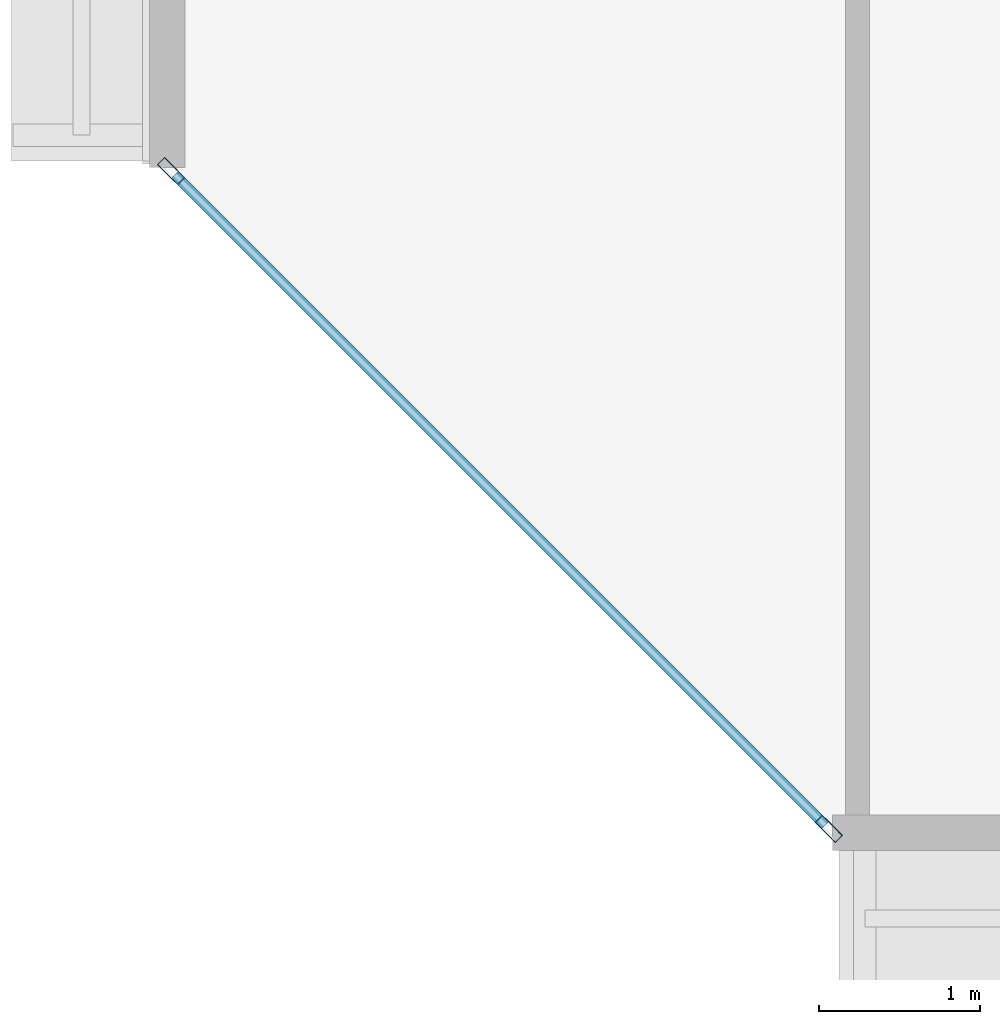
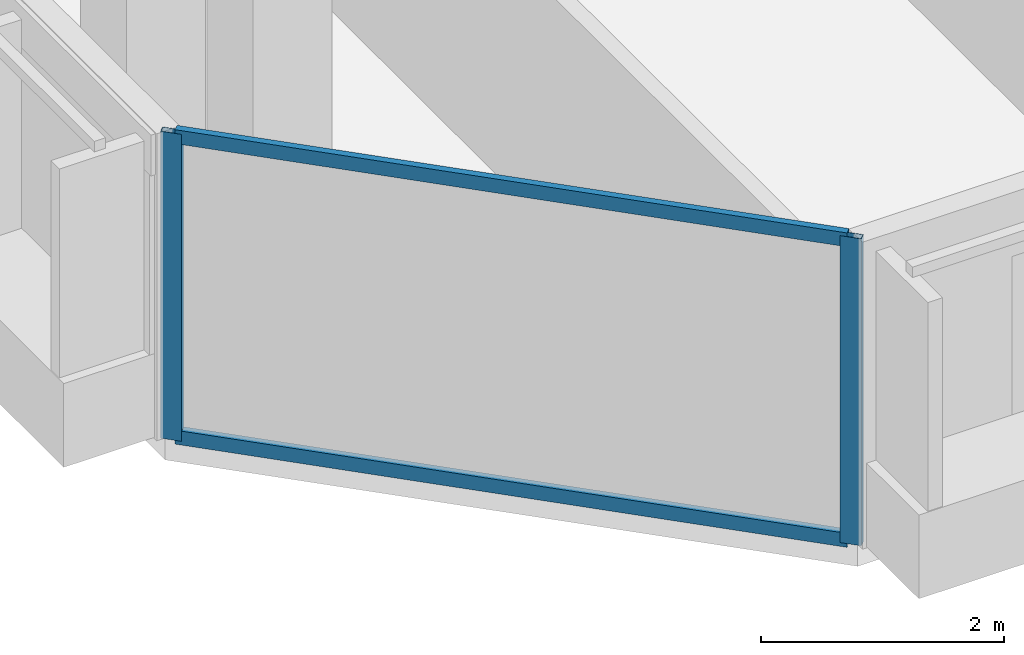
# One storey, part 2 of 25: 4 members, 1 element without a shape of its own.
"""IFC4 building model written with IfcOpenShell, lengths in metres."""

from ifc_helpers import new_model, si_unit, direction, frame, origin, origin_2d, place, context, subcontext, project, spatial, hollow_rectangle, extrude, material, layer, layer_set, material_profile, profile_set, type_object, element, aggregate, save


model = new_model("IFC4")

# Units and contexts
model_context = context("Model", 3, precision=1e-05, world=origin(), true_north=direction((0.0, 1.0)))
body_context = subcontext(model_context, "Body", "Model", "MODEL_VIEW")
ifc_project = project(units=[si_unit("LENGTHUNIT", "METRE"), si_unit("AREAUNIT", "SQUARE_METRE"), si_unit("VOLUMEUNIT", "CUBIC_METRE"), si_unit("PLANEANGLEUNIT", "RADIAN"), si_unit("MASSUNIT", "GRAM", prefix="KILO")], contexts=[model_context])

# Site, building, storey
site_placement = place(None, origin())
site = spatial("IfcSite", under=ifc_project, at=site_placement, CompositionType="ELEMENT")
building_placement = place(site_placement, origin())
building = spatial("IfcBuilding", under=site, at=building_placement, Name="Tanjung Sevakor Pilgrim Tower", CompositionType="ELEMENT")
storey_placement = place(building_placement, frame((0.0, 0.0, 204.929931640625)))
storey = spatial("IfcBuildingStorey", under=building, at=storey_placement, Name="L57", CompositionType="ELEMENT", Elevation=204.929931640625)

# Curtain wall, members
ifc_material_1 = material(Name="Aluminium 6063-T6 and Low-E Glass", Category="aluminium")
ifc_layer = layer(ifc_material_1, 0.179931640625)
ifc_layer_set = layer_set([ifc_layer], Name="CW-SYS-CHAM")
curtain_wall_type = type_object("IfcCurtainWallType", Name="CW-SYS-CHAM", PredefinedType="NOTDEFINED", material=ifc_layer_set)
curtain_wall_placement = place(storey_placement, origin())
curtain_wall = element("IfcCurtainWall", 1, at=curtain_wall_placement, inside=storey, type_object=curtain_wall_type, Name="L57 Curtain Wall CW-CHM-L57-MAIN-15", PredefinedType="NOTDEFINED")
ifc_material_2 = material(Name="Aluminium 6063-T6", Category="aluminium")
ifc_material_profile_1 = material_profile(ifc_material_2, hollow_rectangle(XDim=0.06494140625, YDim=0.179931640625, WallThickness=0.00390625, at=origin_2d()))
ifc_profile_set_1 = profile_set([ifc_material_profile_1], Name="Aluminium 6063-T6")
member_type_1 = type_object("IfcMemberType", Name="TYPE-CWM-1", PredefinedType="MULLION", material=ifc_profile_set_1)
member_1_placement = place(storey_placement, frame((21.73291015625, 16.272705078125, 0.0), z_axis=(0.0, 0.0, 1.0), x_axis=(0.707106781187, 0.707106781187, 0.0)))
member_1 = element("IfcMember", 2, at=member_1_placement, type_object=member_type_1, Name="CW-CHM mullion 1", PredefinedType="MULLION", context=body_context, shape_type="SweptSolid", body=[
    extrude(hollow_rectangle(XDim=0.06494140625, YDim=0.179931640625, WallThickness=0.00390625, at=origin_2d()), origin(), (0.0, 0.0, 1.0), 3.080078125),
])
member_2_placement = place(storey_placement, frame((25.822509765625, 12.182861328125, 0.0), z_axis=(0.0, 0.0, 1.0), x_axis=(0.707106781187, 0.707106781187, 0.0)))
member_2 = element("IfcMember", 3, at=member_2_placement, type_object=member_type_1, Name="CW-CHM mullion 2", PredefinedType="MULLION", context=body_context, shape_type="SweptSolid", body=[
    extrude(hollow_rectangle(XDim=0.06494140625, YDim=0.179931640625, WallThickness=0.00390625, at=origin_2d()), origin(), (0.0, 0.0, 1.0), 3.080078125),
])
ifc_material_3 = material(Name="Aluminium 6063-T6", Category="aluminium")
ifc_material_profile_2 = material_profile(ifc_material_3, hollow_rectangle(XDim=0.06494140625, YDim=0.139892578125, WallThickness=0.00390625, at=origin_2d()))
ifc_profile_set_2 = profile_set([ifc_material_profile_2], Name="Aluminium 6063-T6")
member_type_2 = type_object("IfcMemberType", Name="TYPE-CWT-1", PredefinedType="USERDEFINED", material=ifc_profile_set_2)
member_3_placement = place(storey_placement, frame((21.755859375, 16.249755859375, 0.032470703125), z_axis=(0.707106781187, -0.707106781187, 0.0), x_axis=(0.707106781187, 0.707106781187, 0.0)))
member_3 = element("IfcMember", 4, at=member_3_placement, type_object=member_type_2, Name="CW-CHM transom 1.1", ObjectType="TRANSOM", PredefinedType="USERDEFINED", context=body_context, shape_type="SweptSolid", body=[
    extrude(hollow_rectangle(XDim=0.06494140625, YDim=0.139892578125, WallThickness=0.00390625, at=origin_2d()), origin(), (0.0, 0.0, 1.0), 5.71875),
])
member_4_placement = place(storey_placement, frame((21.755859375, 16.249755859375, 3.047607421875), z_axis=(0.707106781187, -0.707106781187, 0.0), x_axis=(0.707106781187, 0.707106781187, 0.0)))
member_4 = element("IfcMember", 5, at=member_4_placement, type_object=member_type_2, Name="CW-CHM transom 1.2", ObjectType="TRANSOM", PredefinedType="USERDEFINED", context=body_context, shape_type="SweptSolid", body=[
    extrude(hollow_rectangle(XDim=0.06494140625, YDim=0.139892578125, WallThickness=0.00390625, at=origin_2d()), origin(), (0.0, 0.0, 1.0), 5.71875),
])
aggregate(curtain_wall, [member_1, member_2, member_3, member_4])

save(model, "model.ifc")
